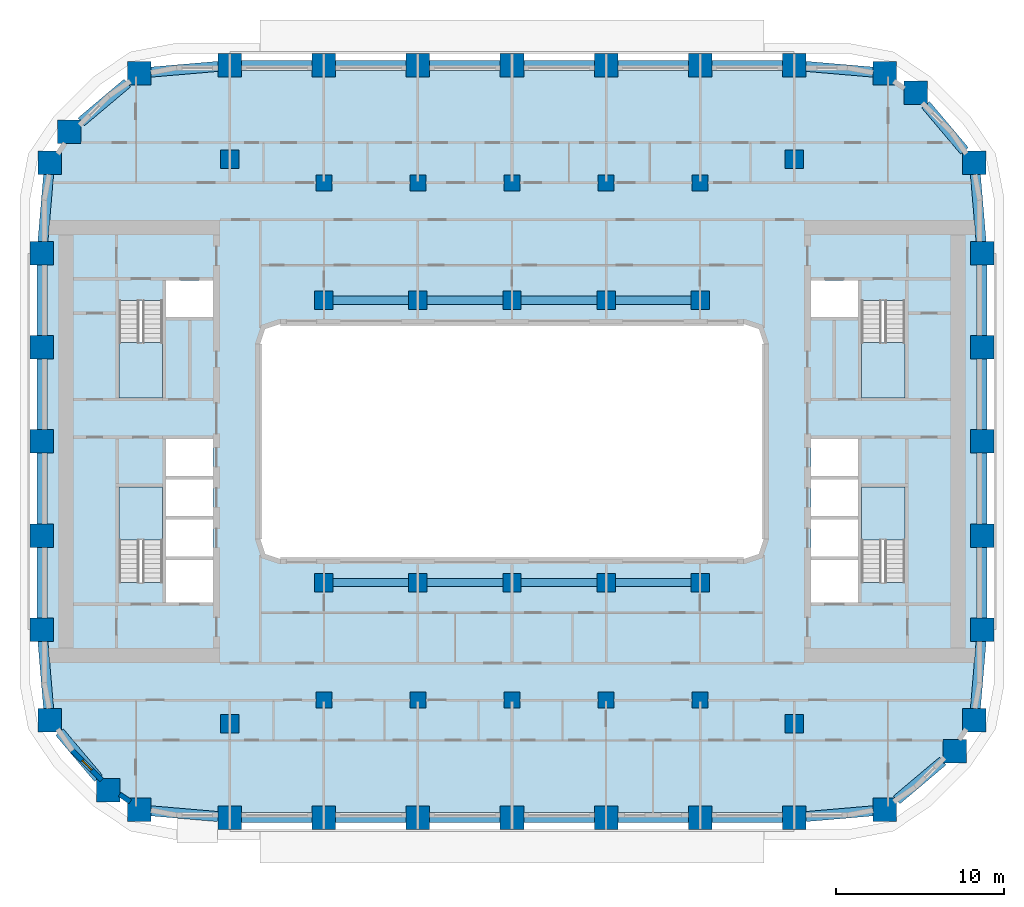
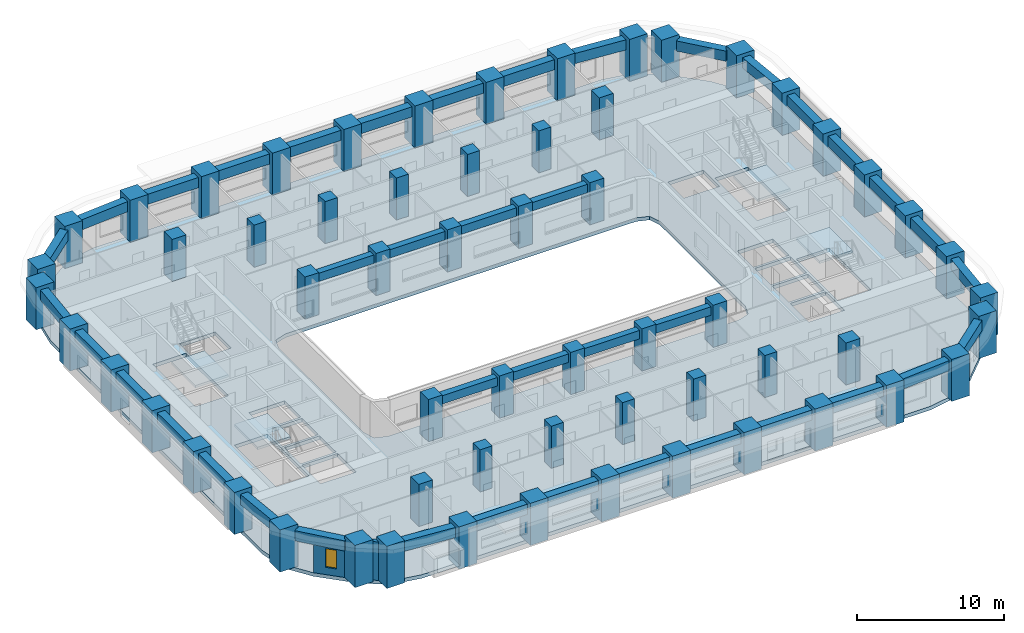
# One storey, part 1 of 22: 60 columns, 40 beams, 5 slabs, 2 walls, 1 window, 1 opening, 4 elements without a shape of their own.
"""IFC4 building model written with IfcOpenShell, lengths in metres."""

from ifc_helpers import new_model, si_unit, direction, frame, frame_2d, origin, origin_2d, place, context, subcontext, project, spatial, polyline, rectangle, outline, extrude, material, layer, layer_set, material_profile, profile_set, type_object, element, fill, aggregate, save


model = new_model("IFC4")

# Units and contexts
model_context = context("Model", 3, precision=1e-05, world=origin(), true_north=direction((0.0, 1.0)))
body_context = subcontext(model_context, "Body", "Model", "MODEL_VIEW")
ifc_project = project(units=[si_unit("LENGTHUNIT", "METRE"), si_unit("AREAUNIT", "SQUARE_METRE"), si_unit("VOLUMEUNIT", "CUBIC_METRE"), si_unit("PLANEANGLEUNIT", "RADIAN"), si_unit("MASSUNIT", "GRAM", prefix="KILO")], contexts=[model_context])

# Site, building, storey
site_placement = place(None, origin())
site = spatial("IfcSite", under=ifc_project, at=site_placement, CompositionType="ELEMENT")
building_placement = place(site_placement, origin())
building = spatial("IfcBuilding", under=site, at=building_placement, Name="Kiln Ring Residences", CompositionType="ELEMENT")
storey_placement = place(building_placement, frame((0.0, 0.0, 65.5)))
storey = spatial("IfcBuildingStorey", under=building, at=storey_placement, Name="L16", CompositionType="ELEMENT", Elevation=65.5)

# Columns
ifc_material_1 = material(Name="Concrete C80/95", Category="concrete")
ifc_material_profile_1 = material_profile(ifc_material_1, rectangle(XDim=0.949951171875, YDim=0.949951171875, at=origin_2d()), Name="RC950x950")
ifc_profile_set_1 = profile_set([ifc_material_profile_1], Name="Concrete C80/95")
column_type_1 = type_object("IfcColumnType", Name="Corridor column RC950x950 C80/95", PredefinedType="COLUMN", material=ifc_profile_set_1)
for number, where, z_axis, x_axis, name in (
    (1, (-11.199951171875, 15.39990234375, 0.0), (0.0, 0.0, 1.0), (1.0, 0.0, 0.0), "Corridor column L16 1"),
    (2, (-5.60009765625, 15.39990234375, 0.0), (0.0, 0.0, 1.0), (1.0, 0.0, 0.0), "Corridor column L16 2"),
    (3, (0.0, 15.39990234375, 0.0), (0.0, 0.0, 1.0), (1.0, 0.0, 0.0), "Corridor column L16 3"),
    (4, (5.60009765625, 15.39990234375, 0.0), (0.0, 0.0, 1.0), (1.0, 0.0, 0.0), "Corridor column L16 4"),
    (5, (11.199951171875, 15.39990234375, 0.0), (0.0, 0.0, 1.0), (1.0, 0.0, 0.0), "Corridor column L16 5"),
    (6, (-11.199951171875, -15.39990234375, 0.0), (0.0, 0.0, 1.0), (1.0, 0.0, 0.0), "Corridor column L16 6"),
    (7, (-5.60009765625, -15.39990234375, 0.0), (0.0, 0.0, 1.0), (1.0, 0.0, 0.0), "Corridor column L16 7"),
    (8, (0.0, -15.39990234375, 0.0), (0.0, 0.0, 1.0), (1.0, 0.0, 0.0), "Corridor column L16 8"),
    (9, (5.60009765625, -15.39990234375, 0.0), (0.0, 0.0, 1.0), (1.0, 0.0, 0.0), "Corridor column L16 9"),
    (10, (11.199951171875, -15.39990234375, 0.0), (0.0, 0.0, 1.0), (1.0, 0.0, 0.0), "Corridor column L16 10"),
):
    element("IfcColumn", number, at=place(storey_placement, frame(where, z_axis=z_axis, x_axis=x_axis)), inside=storey, type_object=column_type_1, Name=name, PredefinedType="COLUMN", context=body_context, shape_type="SweptSolid", body=[
        extrude(rectangle(XDim=0.949951171875, YDim=0.949951171875, at=origin_2d()), origin(), (0.0, 0.0, 1.0), 3.5),
    ])
ifc_material_2 = material(Name="Concrete C80/95", Category="concrete")
ifc_material_profile_2 = material_profile(ifc_material_2, rectangle(XDim=1.39990234375, YDim=1.39990234375, at=origin_2d()), Name="RC1400x1400")
ifc_profile_set_2 = profile_set([ifc_material_profile_2], Name="Concrete C80/95")
column_type_2 = type_object("IfcColumnType", Name="Perimeter column RC1400x1400 C80/95", PredefinedType="COLUMN", material=ifc_profile_set_2)
for number, where, z_axis, x_axis, name in (
    (11, (-22.208740234375, -21.93798828125, 0.0), (0.0, 0.0, 1.0), (1.0, 0.0, 0.0), "Perimeter column L16 1"),
    (12, (-16.800048828125, -22.39990234375, 0.0), (0.0, 0.0, 1.0), (1.0, 0.0, 0.0), "Perimeter column L16 2"),
    (13, (-11.199951171875, -22.39990234375, 0.0), (0.0, 0.0, 1.0), (1.0, 0.0, 0.0), "Perimeter column L16 3"),
    (14, (-5.60009765625, -22.39990234375, 0.0), (0.0, 0.0, 1.0), (1.0, 0.0, 0.0), "Perimeter column L16 4"),
    (15, (0.0, -22.39990234375, 0.0), (0.0, 0.0, 1.0), (1.0, 0.0, 0.0), "Perimeter column L16 5"),
    (16, (5.60009765625, -22.39990234375, 0.0), (0.0, 0.0, 1.0), (1.0, 0.0, 0.0), "Perimeter column L16 6"),
    (17, (11.199951171875, -22.39990234375, 0.0), (0.0, 0.0, 1.0), (1.0, 0.0, 0.0), "Perimeter column L16 7"),
    (18, (16.800048828125, -22.39990234375, 0.0), (0.0, 0.0, 1.0), (1.0, 0.0, 0.0), "Perimeter column L16 8"),
    (19, (22.208740234375, -21.93798828125, 0.0), (0.0, 0.0, 1.0), (1.0, 0.0, 0.0), "Perimeter column L16 9"),
    (20, (26.35986328125, -18.440185546875, 0.0), (0.0, 0.0, 1.0), (1.0, 0.0, 0.0), "Perimeter column L16 10"),
    (21, (27.5380859375, -16.608642578125, 0.0), (0.0, 0.0, 1.0), (1.0, 0.0, 0.0), "Perimeter column L16 11"),
    (22, (28.0, -11.199951171875, 0.0), (0.0, 0.0, 1.0), (1.0, 0.0, 0.0), "Perimeter column L16 12"),
    (23, (28.0, -5.60009765625, 0.0), (0.0, 0.0, 1.0), (1.0, 0.0, 0.0), "Perimeter column L16 13"),
    (24, (28.0, 0.0, 0.0), (0.0, 0.0, 1.0), (1.0, 0.0, 0.0), "Perimeter column L16 14"),
    (25, (28.0, 5.60009765625, 0.0), (0.0, 0.0, 1.0), (1.0, 0.0, 0.0), "Perimeter column L16 15"),
    (26, (28.0, 11.199951171875, 0.0), (0.0, 0.0, 1.0), (1.0, 0.0, 0.0), "Perimeter column L16 16"),
    (27, (27.5380859375, 16.608642578125, 0.0), (0.0, 0.0, 1.0), (1.0, 0.0, 0.0), "Perimeter column L16 17"),
    (28, (24.040283203125, 20.759765625, 0.0), (0.0, 0.0, 1.0), (1.0, 0.0, 0.0), "Perimeter column L16 18"),
    (29, (22.208740234375, 21.93798828125, 0.0), (0.0, 0.0, 1.0), (1.0, 0.0, 0.0), "Perimeter column L16 19"),
    (30, (16.800048828125, 22.39990234375, 0.0), (0.0, 0.0, 1.0), (1.0, 0.0, 0.0), "Perimeter column L16 20"),
    (31, (11.199951171875, 22.39990234375, 0.0), (0.0, 0.0, 1.0), (1.0, 0.0, 0.0), "Perimeter column L16 21"),
    (32, (5.60009765625, 22.39990234375, 0.0), (0.0, 0.0, 1.0), (1.0, 0.0, 0.0), "Perimeter column L16 22"),
    (33, (0.0, 22.39990234375, 0.0), (0.0, 0.0, 1.0), (1.0, 0.0, 0.0), "Perimeter column L16 23"),
    (34, (-5.60009765625, 22.39990234375, 0.0), (0.0, 0.0, 1.0), (1.0, 0.0, 0.0), "Perimeter column L16 24"),
    (35, (-11.199951171875, 22.39990234375, 0.0), (0.0, 0.0, 1.0), (1.0, 0.0, 0.0), "Perimeter column L16 25"),
    (36, (-16.800048828125, 22.39990234375, 0.0), (0.0, 0.0, 1.0), (1.0, 0.0, 0.0), "Perimeter column L16 26"),
    (37, (-22.208740234375, 21.93798828125, 0.0), (0.0, 0.0, 1.0), (1.0, 0.0, 0.0), "Perimeter column L16 27"),
    (38, (-26.35986328125, 18.440185546875, 0.0), (0.0, 0.0, 1.0), (1.0, 0.0, 0.0), "Perimeter column L16 28"),
    (39, (-27.5380859375, 16.608642578125, 0.0), (0.0, 0.0, 1.0), (1.0, 0.0, 0.0), "Perimeter column L16 29"),
    (40, (-28.0, 11.199951171875, 0.0), (0.0, 0.0, 1.0), (1.0, 0.0, 0.0), "Perimeter column L16 30"),
    (41, (-28.0, 5.60009765625, 0.0), (0.0, 0.0, 1.0), (1.0, 0.0, 0.0), "Perimeter column L16 31"),
    (42, (-28.0, 0.0, 0.0), (0.0, 0.0, 1.0), (1.0, 0.0, 0.0), "Perimeter column L16 32"),
    (43, (-28.0, -5.60009765625, 0.0), (0.0, 0.0, 1.0), (1.0, 0.0, 0.0), "Perimeter column L16 33"),
    (44, (-28.0, -11.199951171875, 0.0), (0.0, 0.0, 1.0), (1.0, 0.0, 0.0), "Perimeter column L16 34"),
    (45, (-27.5380859375, -16.608642578125, 0.0), (0.0, 0.0, 1.0), (1.0, 0.0, 0.0), "Perimeter column L16 35"),
    (46, (-24.040283203125, -20.759765625, 0.0), (0.0, 0.0, 1.0), (1.0, 0.0, 0.0), "Perimeter column L16 36"),
):
    element("IfcColumn", number, at=place(storey_placement, frame(where, z_axis=z_axis, x_axis=x_axis)), inside=storey, type_object=column_type_2, Name=name, PredefinedType="COLUMN", context=body_context, shape_type="SweptSolid", body=[
        extrude(rectangle(XDim=1.39990234375, YDim=1.39990234375, at=origin_2d()), origin(), (0.0, 0.0, 1.0), 3.5),
    ])
ifc_material_3 = material(Name="Concrete C80/95", Category="concrete")
ifc_material_profile_3 = material_profile(ifc_material_3, rectangle(XDim=1.10009765625, YDim=1.10009765625, at=origin_2d()), Name="RC1100x1100")
ifc_profile_set_3 = profile_set([ifc_material_profile_3], Name="Concrete C80/95")
column_type_3 = type_object("IfcColumnType", Name="Ring column RC1100x1100 C80/95", PredefinedType="COLUMN", material=ifc_profile_set_3)
for number, where, z_axis, x_axis, name in (
    (47, (-16.800048828125, -16.800048828125, 0.0), (0.0, 0.0, 1.0), (1.0, 0.0, 0.0), "Ring column L16 1"),
    (48, (-16.800048828125, 16.800048828125, 0.0), (0.0, 0.0, 1.0), (1.0, 0.0, 0.0), "Ring column L16 2"),
    (49, (-11.199951171875, -8.39990234375, 0.0), (0.0, 0.0, 1.0), (1.0, 0.0, 0.0), "Ring column L16 3"),
    (50, (-11.199951171875, 8.39990234375, 0.0), (0.0, 0.0, 1.0), (1.0, 0.0, 0.0), "Ring column L16 4"),
    (51, (-5.60009765625, -8.39990234375, 0.0), (0.0, 0.0, 1.0), (1.0, 0.0, 0.0), "Ring column L16 5"),
    (52, (-5.60009765625, 8.39990234375, 0.0), (0.0, 0.0, 1.0), (1.0, 0.0, 0.0), "Ring column L16 6"),
    (53, (0.0, -8.39990234375, 0.0), (0.0, 0.0, 1.0), (1.0, 0.0, 0.0), "Ring column L16 7"),
    (54, (0.0, 8.39990234375, 0.0), (0.0, 0.0, 1.0), (1.0, 0.0, 0.0), "Ring column L16 8"),
    (55, (5.60009765625, -8.39990234375, 0.0), (0.0, 0.0, 1.0), (1.0, 0.0, 0.0), "Ring column L16 9"),
    (56, (5.60009765625, 8.39990234375, 0.0), (0.0, 0.0, 1.0), (1.0, 0.0, 0.0), "Ring column L16 10"),
    (57, (11.199951171875, -8.39990234375, 0.0), (0.0, 0.0, 1.0), (1.0, 0.0, 0.0), "Ring column L16 11"),
    (58, (11.199951171875, 8.39990234375, 0.0), (0.0, 0.0, 1.0), (1.0, 0.0, 0.0), "Ring column L16 12"),
    (59, (16.800048828125, -16.800048828125, 0.0), (0.0, 0.0, 1.0), (1.0, 0.0, 0.0), "Ring column L16 13"),
    (60, (16.800048828125, 16.800048828125, 0.0), (0.0, 0.0, 1.0), (1.0, 0.0, 0.0), "Ring column L16 14"),
):
    element("IfcColumn", number, at=place(storey_placement, frame(where, z_axis=z_axis, x_axis=x_axis)), inside=storey, type_object=column_type_3, Name=name, PredefinedType="COLUMN", context=body_context, shape_type="SweptSolid", body=[
        extrude(rectangle(XDim=1.10009765625, YDim=1.10009765625, at=origin_2d()), origin(), (0.0, 0.0, 1.0), 3.5),
    ])

# Beams
ifc_material_4 = material(Name="Concrete C50/60", Category="concrete")
ifc_material_profile_4 = material_profile(ifc_material_4, rectangle(XDim=0.5, YDim=0.699951171875, at=origin_2d()), Name="RC500x700")
ifc_profile_set_4 = profile_set([ifc_material_profile_4], Name="Concrete C50/60")
beam_type_1 = type_object("IfcBeamType", Name="Ring beam RC500x700 C50/60", PredefinedType="BEAM", material=ifc_profile_set_4)
for number, where, z_axis, x_axis, name in (
    (61, (-10.64990234375, -8.39990234375, 2.85009765625), (1.0, 0.0, 0.0), (0.0, 1.0, 0.0), "Ring beam L16 1"),
    (62, (-5.050048828125, -8.39990234375, 2.85009765625), (1.0, 0.0, 0.0), (0.0, 1.0, 0.0), "Ring beam L16 2"),
    (63, (0.550048828125, -8.39990234375, 2.85009765625), (1.0, 0.0, 0.0), (0.0, 1.0, 0.0), "Ring beam L16 3"),
    (64, (6.14990234375, -8.39990234375, 2.85009765625), (1.0, 0.0, 0.0), (0.0, 1.0, 0.0), "Ring beam L16 4"),
    (65, (-10.64990234375, 8.39990234375, 2.85009765625), (1.0, 0.0, 0.0), (0.0, 1.0, 0.0), "Ring beam L16 5"),
    (66, (-5.050048828125, 8.39990234375, 2.85009765625), (1.0, 0.0, 0.0), (0.0, 1.0, 0.0), "Ring beam L16 6"),
    (67, (0.550048828125, 8.39990234375, 2.85009765625), (1.0, 0.0, 0.0), (0.0, 1.0, 0.0), "Ring beam L16 7"),
    (68, (6.14990234375, 8.39990234375, 2.85009765625), (1.0, 0.0, 0.0), (0.0, 1.0, 0.0), "Ring beam L16 8"),
):
    element("IfcBeam", number, at=place(storey_placement, frame(where, z_axis=z_axis, x_axis=x_axis)), inside=storey, type_object=beam_type_1, Name=name, PredefinedType="BEAM", context=body_context, shape_type="SweptSolid", body=[
        extrude(rectangle(XDim=0.5, YDim=0.699951171875, at=origin_2d()), origin(), (0.0, 0.0, 1.0), 4.5),
    ])
ifc_material_5 = material(Name="Concrete C50/60", Category="concrete")
ifc_material_profile_5 = material_profile(ifc_material_5, rectangle(XDim=0.60009765625, YDim=0.85009765625, at=origin_2d()), Name="RC600x850")
ifc_profile_set_5 = profile_set([ifc_material_profile_5], Name="Concrete C50/60")
beam_type_2 = type_object("IfcBeamType", Name="Spandrel beam RC600x850 C50/60", PredefinedType="SPANDREL", material=ifc_profile_set_5)
beam_1_placement = place(storey_placement, frame((-21.5087890625, -21.997802734375, 2.77490234375), z_axis=(0.996369479058, -0.085134371444, 0.0), x_axis=(0.085134371444, 0.996369479058, 0.0)))
element("IfcBeam", 69, at=beam_1_placement, inside=storey, type_object=beam_type_2, Name="Spandrel beam L16 1", PredefinedType="SPANDREL", context=body_context, shape_type="SweptSolid", body=[
    extrude(rectangle(XDim=0.60009765625, YDim=0.85009765625, at=origin_2d()), origin(), (0.0, 0.0, 1.0), 4.0234375),
])
beam_2_placement = place(storey_placement, frame((-16.10009765625, -22.39990234375, 2.77490234375), z_axis=(1.0, 0.0, 0.0), x_axis=(0.0, 1.0, 0.0)))
element("IfcBeam", 70, at=beam_2_placement, inside=storey, type_object=beam_type_2, Name="Spandrel beam L16 2", PredefinedType="SPANDREL", context=body_context, shape_type="SweptSolid", body=[
    extrude(rectangle(XDim=0.60009765625, YDim=0.85009765625, at=origin_2d()), origin(), (0.0, 0.0, 1.0), 4.2001953125),
])
for number, where, z_axis, x_axis, name in (
    (71, (-10.5, -22.39990234375, 2.77490234375), (1.0, 0.0, 0.0), (0.0, 1.0, 0.0), "Spandrel beam L16 3"),
    (72, (-4.89990234375, -22.39990234375, 2.77490234375), (1.0, 0.0, 0.0), (0.0, 1.0, 0.0), "Spandrel beam L16 4"),
    (73, (0.699951171875, -22.39990234375, 2.77490234375), (1.0, 0.0, 0.0), (0.0, 1.0, 0.0), "Spandrel beam L16 5"),
    (74, (6.300048828125, -22.39990234375, 2.77490234375), (1.0, 0.0, 0.0), (0.0, 1.0, 0.0), "Spandrel beam L16 6"),
):
    element("IfcBeam", number, at=place(storey_placement, frame(where, z_axis=z_axis, x_axis=x_axis)), inside=storey, type_object=beam_type_2, Name=name, PredefinedType="SPANDREL", context=body_context, shape_type="SweptSolid", body=[
        extrude(rectangle(XDim=0.60009765625, YDim=0.85009765625, at=origin_2d()), origin(), (0.0, 0.0, 1.0), 4.199951171875),
    ])
beam_3_placement = place(storey_placement, frame((11.89990234375, -22.39990234375, 2.77490234375), z_axis=(1.0, 0.0, 0.0), x_axis=(0.0, 1.0, 0.0)))
element("IfcBeam", 75, at=beam_3_placement, inside=storey, type_object=beam_type_2, Name="Spandrel beam L16 7", PredefinedType="SPANDREL", context=body_context, shape_type="SweptSolid", body=[
    extrude(rectangle(XDim=0.60009765625, YDim=0.85009765625, at=origin_2d()), origin(), (0.0, 0.0, 1.0), 4.2001953125),
])
beam_4_placement = place(storey_placement, frame((17.5, -22.34033203125, 2.77490234375), z_axis=(0.996369479058, 0.085134371444, 0.0), x_axis=(-0.085134371444, 0.996369479058, 0.0)))
element("IfcBeam", 76, at=beam_4_placement, inside=storey, type_object=beam_type_2, Name="Spandrel beam L16 8", PredefinedType="SPANDREL", context=body_context, shape_type="SweptSolid", body=[
    extrude(rectangle(XDim=0.60009765625, YDim=0.85009765625, at=origin_2d()), origin(), (0.0, 0.0, 1.0), 4.0234375),
])
beam_5_placement = place(storey_placement, frame((22.90869140625, -21.34814453125, 2.77490234375), z_axis=(0.764733430751, 0.644346785428, 0.0), x_axis=(-0.644346785428, 0.764733430751, 0.0)))
element("IfcBeam", 77, at=beam_5_placement, inside=storey, type_object=beam_type_2, Name="Spandrel beam L16 9", PredefinedType="SPANDREL", context=body_context, shape_type="SweptSolid", body=[
    extrude(rectangle(XDim=0.60009765625, YDim=0.85009765625, at=origin_2d()), origin(), (0.0, 0.0, 1.0), 3.59765625),
])
beam_6_placement = place(storey_placement, frame((27.597900390625, -15.90869140625, 2.77490234375), z_axis=(0.085074130543, 0.996374624482, 0.0), x_axis=(-0.996374624482, 0.085074130543, 0.0)))
element("IfcBeam", 78, at=beam_6_placement, inside=storey, type_object=beam_type_2, Name="Spandrel beam L16 10", PredefinedType="SPANDREL", context=body_context, shape_type="SweptSolid", body=[
    extrude(rectangle(XDim=0.60009765625, YDim=0.85009765625, at=origin_2d()), origin(), (0.0, 0.0, 1.0), 4.0234375),
])
for number, where, z_axis, x_axis, name in (
    (79, (28.0, -10.5, 2.77490234375), (0.0, 1.0, 0.0), (-1.0, 0.0, 0.0), "Spandrel beam L16 11"),
    (80, (28.0, -4.89990234375, 2.77490234375), (0.0, 1.0, 0.0), (-1.0, 0.0, 0.0), "Spandrel beam L16 12"),
    (81, (28.0, 0.699951171875, 2.77490234375), (0.0, 1.0, 0.0), (-1.0, 0.0, 0.0), "Spandrel beam L16 13"),
    (82, (28.0, 6.300048828125, 2.77490234375), (0.0, 1.0, 0.0), (-1.0, 0.0, 0.0), "Spandrel beam L16 14"),
):
    element("IfcBeam", number, at=place(storey_placement, frame(where, z_axis=z_axis, x_axis=x_axis)), inside=storey, type_object=beam_type_2, Name=name, PredefinedType="SPANDREL", context=body_context, shape_type="SweptSolid", body=[
        extrude(rectangle(XDim=0.60009765625, YDim=0.85009765625, at=origin_2d()), origin(), (0.0, 0.0, 1.0), 4.199951171875),
    ])
beam_7_placement = place(storey_placement, frame((27.940185546875, 11.89990234375, 2.77490234375), z_axis=(-0.085074130543, 0.996374624482, 0.0), x_axis=(-0.996374624482, -0.085074130543, 0.0)))
element("IfcBeam", 83, at=beam_7_placement, inside=storey, type_object=beam_type_2, Name="Spandrel beam L16 15", PredefinedType="SPANDREL", context=body_context, shape_type="SweptSolid", body=[
    extrude(rectangle(XDim=0.60009765625, YDim=0.85009765625, at=origin_2d()), origin(), (0.0, 0.0, 1.0), 4.0234375),
])
beam_8_placement = place(storey_placement, frame((26.9482421875, 17.30859375, 2.77490234375), z_axis=(-0.644346785428, 0.764733430751, 0.0), x_axis=(-0.764733430751, -0.644346785428, 0.0)))
element("IfcBeam", 84, at=beam_8_placement, inside=storey, type_object=beam_type_2, Name="Spandrel beam L16 16", PredefinedType="SPANDREL", context=body_context, shape_type="SweptSolid", body=[
    extrude(rectangle(XDim=0.60009765625, YDim=0.85009765625, at=origin_2d()), origin(), (0.0, 0.0, 1.0), 3.59765625),
])
beam_9_placement = place(storey_placement, frame((21.5087890625, 21.997802734375, 2.77490234375), z_axis=(-0.996369479058, 0.085134371444, 0.0), x_axis=(-0.085134371444, -0.996369479058, 0.0)))
element("IfcBeam", 85, at=beam_9_placement, inside=storey, type_object=beam_type_2, Name="Spandrel beam L16 17", PredefinedType="SPANDREL", context=body_context, shape_type="SweptSolid", body=[
    extrude(rectangle(XDim=0.60009765625, YDim=0.85009765625, at=origin_2d()), origin(), (0.0, 0.0, 1.0), 4.0234375),
])
beam_10_placement = place(storey_placement, frame((16.10009765625, 22.39990234375, 2.77490234375), z_axis=(-1.0, 0.0, 0.0), x_axis=(0.0, -1.0, 0.0)))
element("IfcBeam", 86, at=beam_10_placement, inside=storey, type_object=beam_type_2, Name="Spandrel beam L16 18", PredefinedType="SPANDREL", context=body_context, shape_type="SweptSolid", body=[
    extrude(rectangle(XDim=0.60009765625, YDim=0.85009765625, at=origin_2d()), origin(), (0.0, 0.0, 1.0), 4.2001953125),
])
for number, where, z_axis, x_axis, name in (
    (87, (10.5, 22.39990234375, 2.77490234375), (-1.0, 0.0, 0.0), (0.0, -1.0, 0.0), "Spandrel beam L16 19"),
    (88, (4.89990234375, 22.39990234375, 2.77490234375), (-1.0, 0.0, 0.0), (0.0, -1.0, 0.0), "Spandrel beam L16 20"),
    (89, (-0.699951171875, 22.39990234375, 2.77490234375), (-1.0, 0.0, 0.0), (0.0, -1.0, 0.0), "Spandrel beam L16 21"),
    (90, (-6.300048828125, 22.39990234375, 2.77490234375), (-1.0, 0.0, 0.0), (0.0, -1.0, 0.0), "Spandrel beam L16 22"),
):
    element("IfcBeam", number, at=place(storey_placement, frame(where, z_axis=z_axis, x_axis=x_axis)), inside=storey, type_object=beam_type_2, Name=name, PredefinedType="SPANDREL", context=body_context, shape_type="SweptSolid", body=[
        extrude(rectangle(XDim=0.60009765625, YDim=0.85009765625, at=origin_2d()), origin(), (0.0, 0.0, 1.0), 4.199951171875),
    ])
beam_11_placement = place(storey_placement, frame((-11.89990234375, 22.39990234375, 2.77490234375), z_axis=(-1.0, 0.0, 0.0), x_axis=(0.0, -1.0, 0.0)))
element("IfcBeam", 91, at=beam_11_placement, inside=storey, type_object=beam_type_2, Name="Spandrel beam L16 23", PredefinedType="SPANDREL", context=body_context, shape_type="SweptSolid", body=[
    extrude(rectangle(XDim=0.60009765625, YDim=0.85009765625, at=origin_2d()), origin(), (0.0, 0.0, 1.0), 4.2001953125),
])
beam_12_placement = place(storey_placement, frame((-17.5, 22.34033203125, 2.77490234375), z_axis=(-0.996369479058, -0.085134371444, 0.0), x_axis=(0.085134371444, -0.996369479058, 0.0)))
element("IfcBeam", 92, at=beam_12_placement, inside=storey, type_object=beam_type_2, Name="Spandrel beam L16 24", PredefinedType="SPANDREL", context=body_context, shape_type="SweptSolid", body=[
    extrude(rectangle(XDim=0.60009765625, YDim=0.85009765625, at=origin_2d()), origin(), (0.0, 0.0, 1.0), 4.0234375),
])
beam_13_placement = place(storey_placement, frame((-22.90869140625, 21.34814453125, 2.77490234375), z_axis=(-0.764733430751, -0.644346785428, 0.0), x_axis=(0.644346785428, -0.764733430751, 0.0)))
element("IfcBeam", 93, at=beam_13_placement, inside=storey, type_object=beam_type_2, Name="Spandrel beam L16 25", PredefinedType="SPANDREL", context=body_context, shape_type="SweptSolid", body=[
    extrude(rectangle(XDim=0.60009765625, YDim=0.85009765625, at=origin_2d()), origin(), (0.0, 0.0, 1.0), 3.59765625),
])
beam_14_placement = place(storey_placement, frame((-27.597900390625, 15.90869140625, 2.77490234375), z_axis=(-0.085074130543, -0.996374624482, 0.0), x_axis=(0.996374624482, -0.085074130543, 0.0)))
element("IfcBeam", 94, at=beam_14_placement, inside=storey, type_object=beam_type_2, Name="Spandrel beam L16 26", PredefinedType="SPANDREL", context=body_context, shape_type="SweptSolid", body=[
    extrude(rectangle(XDim=0.60009765625, YDim=0.85009765625, at=origin_2d()), origin(), (0.0, 0.0, 1.0), 4.0234375),
])
for number, where, z_axis, x_axis, name in (
    (95, (-28.0, 10.5, 2.77490234375), (0.0, -1.0, 0.0), (1.0, 0.0, 0.0), "Spandrel beam L16 27"),
    (96, (-28.0, 4.89990234375, 2.77490234375), (0.0, -1.0, 0.0), (1.0, 0.0, 0.0), "Spandrel beam L16 28"),
    (97, (-28.0, -0.699951171875, 2.77490234375), (0.0, -1.0, 0.0), (1.0, 0.0, 0.0), "Spandrel beam L16 29"),
    (98, (-28.0, -6.300048828125, 2.77490234375), (0.0, -1.0, 0.0), (1.0, 0.0, 0.0), "Spandrel beam L16 30"),
):
    element("IfcBeam", number, at=place(storey_placement, frame(where, z_axis=z_axis, x_axis=x_axis)), inside=storey, type_object=beam_type_2, Name=name, PredefinedType="SPANDREL", context=body_context, shape_type="SweptSolid", body=[
        extrude(rectangle(XDim=0.60009765625, YDim=0.85009765625, at=origin_2d()), origin(), (0.0, 0.0, 1.0), 4.199951171875),
    ])
beam_15_placement = place(storey_placement, frame((-27.940185546875, -11.89990234375, 2.77490234375), z_axis=(0.085074130543, -0.996374624482, 0.0), x_axis=(0.996374624482, 0.085074130543, 0.0)))
element("IfcBeam", 99, at=beam_15_placement, inside=storey, type_object=beam_type_2, Name="Spandrel beam L16 31", PredefinedType="SPANDREL", context=body_context, shape_type="SweptSolid", body=[
    extrude(rectangle(XDim=0.60009765625, YDim=0.85009765625, at=origin_2d()), origin(), (0.0, 0.0, 1.0), 4.0234375),
])
beam_16_placement = place(storey_placement, frame((-26.9482421875, -17.30859375, 2.77490234375), z_axis=(0.644346785428, -0.764733430751, 0.0), x_axis=(0.764733430751, 0.644346785428, 0.0)))
element("IfcBeam", 100, at=beam_16_placement, inside=storey, type_object=beam_type_2, Name="Spandrel beam L16 32", PredefinedType="SPANDREL", context=body_context, shape_type="SweptSolid", body=[
    extrude(rectangle(XDim=0.60009765625, YDim=0.85009765625, at=origin_2d()), origin(), (0.0, 0.0, 1.0), 3.59765625),
])

# Stair, slab
ifc_material_6 = material(Name="Concrete C40/50", Category="concrete")
stair_type = type_object("IfcStairType", Name="CORE-STAIR", PredefinedType="HALF_TURN_STAIR", material=ifc_material_6)
placement_1 = place(storey_placement, origin())
stair_1 = element("IfcStair", 101, at=placement_1, inside=storey, type_object=stair_type, Name="L16 stair W-STN", PredefinedType="HALF_TURN_STAIR")
ifc_material_7 = material(Name="Concrete C40/50", Category="concrete")
ifc_layer_1 = layer(ifc_material_7, 0.199951171875)
ifc_layer_set_1 = layer_set([ifc_layer_1], Name="CORE-STAIR-LANDING")
slab_type_1 = type_object("IfcSlabType", Name="CORE-STAIR-LANDING", PredefinedType="LANDING", material=ifc_layer_set_1)
placement_2 = place(storey_placement, frame((0.0, 0.0, 1.550048828125)))
slab_1 = element("IfcSlab", 102, at=placement_2, type_object=slab_type_1, Name="W-STN landing 1", PredefinedType="LANDING", context=body_context, shape_type="SweptSolid", body=[
    extrude(outline(polyline([(-23.39990234375, 5.8798828125), (-23.39990234375, 2.60009765625), (-20.800048828125, 2.60009765625), (-20.800048828125, 5.8798828125), (-23.39990234375, 5.8798828125)])), origin(), (0.0, 0.0, 1.0), 0.199951171875),
])
aggregate(stair_1, [slab_1])

stair_2 = element("IfcStair", 103, at=placement_1, inside=storey, type_object=stair_type, Name="L16 stair W-STS", PredefinedType="HALF_TURN_STAIR")
slab_2 = element("IfcSlab", 104, at=placement_2, type_object=slab_type_1, Name="W-STS landing 1", PredefinedType="LANDING", context=body_context, shape_type="SweptSolid", body=[
    extrude(outline(polyline([(-20.800048828125, -5.8798828125), (-20.800048828125, -2.699951171875), (-23.39990234375, -2.699951171875), (-23.39990234375, -5.8798828125), (-20.800048828125, -5.8798828125)])), origin(), (0.0, 0.0, 1.0), 0.199951171875),
])
aggregate(stair_2, [slab_2])

stair_3 = element("IfcStair", 105, at=placement_1, inside=storey, type_object=stair_type, Name="L16 stair E-STN", PredefinedType="HALF_TURN_STAIR")
slab_3 = element("IfcSlab", 106, at=placement_2, type_object=slab_type_1, Name="E-STN landing 1", PredefinedType="LANDING", context=body_context, shape_type="SweptSolid", body=[
    extrude(outline(polyline([(20.800048828125, 5.8798828125), (20.800048828125, 2.60009765625), (23.39990234375, 2.60009765625), (23.39990234375, 5.8798828125), (20.800048828125, 5.8798828125)])), origin(), (0.0, 0.0, 1.0), 0.199951171875),
])
aggregate(stair_3, [slab_3])

stair_4 = element("IfcStair", 107, at=placement_1, inside=storey, type_object=stair_type, Name="L16 stair E-STS", PredefinedType="HALF_TURN_STAIR")
slab_4 = element("IfcSlab", 108, at=placement_2, type_object=slab_type_1, Name="E-STS landing 1", PredefinedType="LANDING", context=body_context, shape_type="SweptSolid", body=[
    extrude(outline(polyline([(23.39990234375, -5.8798828125), (23.39990234375, -2.699951171875), (20.800048828125, -2.699951171875), (20.800048828125, -5.8798828125), (23.39990234375, -5.8798828125)])), origin(), (0.0, 0.0, 1.0), 0.199951171875),
])
aggregate(stair_4, [slab_4])

# Slab
ifc_material_8 = material(Name="Concrete C40/50", Category="concrete")
ifc_layer_2 = layer(ifc_material_8, 0.300048828125)
ifc_layer_set_2 = layer_set([ifc_layer_2], Name="Floor slab 300")
slab_type_2 = type_object("IfcSlabType", Name="Floor slab 300", PredefinedType="FLOOR", material=ifc_layer_set_2)
slab_5_placement = place(storey_placement, frame((0.0, 0.0, -0.300048828125)))
element("IfcSlab", 109, at=slab_5_placement, inside=storey, type_object=slab_type_2, Name="Floor slab L16 1", PredefinedType="FLOOR", context=body_context, shape_type="SweptSolid", body=[
    extrude(outline(polyline([(-26.302978515625, -18.4970703125), (-24.09716796875, -20.702880859375), (-22.224365234375, -21.975830078125), (-20.0, -22.39990234375), (20.0, -22.39990234375), (22.224365234375, -21.975830078125), (24.09716796875, -20.702880859375), (26.302978515625, -18.4970703125), (27.57568359375, -16.624267578125), (28.0, -14.39990234375), (28.0, 14.39990234375), (27.57568359375, 16.624267578125), (26.302978515625, 18.4970703125), (24.09716796875, 20.702880859375), (22.224365234375, 21.975830078125), (20.0, 22.39990234375), (-20.0, 22.39990234375), (-22.224365234375, 21.975830078125), (-24.09716796875, 20.702880859375), (-26.302978515625, 18.4970703125), (-27.57568359375, 16.624267578125), (-28.0, 14.39990234375), (-28.0, -14.39990234375), (-27.57568359375, -16.624267578125), (-26.302978515625, -18.4970703125)]), holes=[polyline([(-14.699951171875, -6.699951171875), (-15.0, -5.800048828125), (-15.0, 5.800048828125), (-14.699951171875, 6.699951171875), (-13.800048828125, 7.0), (13.800048828125, 7.0), (14.699951171875, 6.699951171875), (15.0, 5.800048828125), (15.0, -5.800048828125), (14.699951171875, -6.699951171875), (13.800048828125, -7.0), (-13.800048828125, -7.0), (-14.699951171875, -6.699951171875)]), polyline([(20.800048828125, -8.39794921875), (20.800048828125, -2.699951171875), (23.39990234375, -2.699951171875), (23.39990234375, -8.39794921875), (20.800048828125, -8.39794921875)]), polyline([(20.800048828125, 2.60009765625), (20.800048828125, 8.39794921875), (23.39990234375, 8.39794921875), (23.39990234375, 2.60009765625), (20.800048828125, 2.60009765625)]), polyline([(17.800048828125, -6.85009765625), (17.800048828125, -4.64990234375), (20.60009765625, -4.64990234375), (20.60009765625, -6.85009765625), (17.800048828125, -6.85009765625)]), polyline([(17.800048828125, -4.449951171875), (17.800048828125, -2.25), (20.60009765625, -2.25), (20.60009765625, -4.449951171875), (17.800048828125, -4.449951171875)]), polyline([(17.800048828125, -2.050048828125), (17.800048828125, 0.14990234375), (20.60009765625, 0.14990234375), (20.60009765625, -2.050048828125), (17.800048828125, -2.050048828125)]), polyline([(17.800048828125, 7.39990234375), (17.800048828125, 9.60009765625), (20.60009765625, 9.60009765625), (20.60009765625, 7.39990234375), (17.800048828125, 7.39990234375)]), polyline([(20.60009765625, -9.60009765625), (17.800048828125, -9.60009765625), (17.800048828125, -7.050048828125), (20.60009765625, -7.050048828125), (20.60009765625, -9.60009765625)]), polyline([(-17.800048828125, -7.050048828125), (-17.800048828125, -9.60009765625), (-20.60009765625, -9.60009765625), (-20.60009765625, -7.050048828125), (-17.800048828125, -7.050048828125)]), polyline([(-17.800048828125, -6.85009765625), (-20.60009765625, -6.85009765625), (-20.60009765625, -4.64990234375), (-17.800048828125, -4.64990234375), (-17.800048828125, -6.85009765625)]), polyline([(-17.800048828125, -4.449951171875), (-20.60009765625, -4.449951171875), (-20.60009765625, -2.25), (-17.800048828125, -2.25), (-17.800048828125, -4.449951171875)]), polyline([(-17.800048828125, -2.050048828125), (-20.60009765625, -2.050048828125), (-20.60009765625, 0.14990234375), (-17.800048828125, 0.14990234375), (-17.800048828125, -2.050048828125)]), polyline([(-17.800048828125, 7.39990234375), (-20.60009765625, 7.39990234375), (-20.60009765625, 9.60009765625), (-17.800048828125, 9.60009765625), (-17.800048828125, 7.39990234375)]), polyline([(-20.800048828125, -8.39794921875), (-23.39990234375, -8.39794921875), (-23.39990234375, -2.699951171875), (-20.800048828125, -2.699951171875), (-20.800048828125, -8.39794921875)]), polyline([(-20.800048828125, 2.60009765625), (-23.39990234375, 2.60009765625), (-23.39990234375, 8.39794921875), (-20.800048828125, 8.39794921875), (-20.800048828125, 2.60009765625)])]), origin(), (0.0, 0.0, 1.0), 0.300048828125),
])

# Wall, opening, window
ifc_material_9 = material(Name="Brick masonry, dark clay brick", Category="masonry")
ifc_layer_3 = layer(ifc_material_9, 0.300048828125)
ifc_layer_set_3 = layer_set([ifc_layer_3], Name="EW-300 BRICK WALL")
wall_type = type_object("IfcWallType", Name="EW-300 BRICK WALL", PredefinedType="SOLIDWALL", material=ifc_layer_set_3)
wall_1_placement = place(storey_placement, frame((-26.19677734375, -18.390869140625, 0.0), z_axis=(0.0, 0.0, 1.0), x_axis=(0.707057949532, -0.707155609469, 0.0)))
wall_1 = element("IfcWall", 110, at=wall_1_placement, inside=storey, type_object=wall_type, Name="Facade wall L16 1", PredefinedType="SOLIDWALL", context=body_context, shape_type="SweptSolid", body=[
    extrude(rectangle(XDim=2.5, YDim=0.300048828125, at=frame_2d((1.25, 0.0))), origin(), (0.0, 0.0, 1.0), 2.35009765625),
])
opening_placement = place(wall_1_placement, frame((0.85009765625, 0.0, 0.60009765625)))
opening = element("IfcOpeningElement", 111, at=opening_placement, cuts=wall_1, Name="Opening W5", PredefinedType="OPENING", context=body_context, shape_type="SweptSolid", body=[
    extrude(rectangle(XDim=0.800048828125, YDim=1.550048828125, at=frame_2d((0.39990234375, 0.77490234375))), frame((0.0, 0.159912109375, 0.0), z_axis=(0.0, -1.0, 0.0), x_axis=(1.0, 0.0, 0.0)), (0.0, 0.0, 1.0), 0.320068359375),
])
ifc_material_10 = material(Name="Aluminium frame with double glazing", Category="aluminium")
window_type = type_object("IfcWindowType", Name="WINDOW 800 x 1550", PartitioningType="SINGLE_PANEL", PredefinedType="WINDOW", material=ifc_material_10)
window_placement = place(opening_placement, origin())
window = element("IfcWindow", 112, at=window_placement, inside=storey, type_object=window_type, Name="Window L16 1", OverallHeight=1.550048828125, OverallWidth=0.800048828125, PartitioningType="SINGLE_PANEL", PredefinedType="WINDOW", context=body_context, shape_type="SweptSolid", body=[
    extrude(rectangle(XDim=0.800048828125, YDim=1.550048828125, at=frame_2d((0.39990234375, 0.77490234375))), frame((0.0, 0.030029296875, 0.0), z_axis=(0.0, -1.0, 0.0), x_axis=(1.0, 0.0, 0.0)), (0.0, 0.0, 1.0), 0.06005859375),
])
fill(opening, window)

# Wall
wall_2_placement = place(storey_placement, frame((-23.368408203125, -21.016845703125, 0.0), z_axis=(0.0, 0.0, 1.0), x_axis=(0.827037530089, -0.562146710232, 0.0)))
element("IfcWall", 113, at=wall_2_placement, inside=storey, type_object=wall_type, Name="Facade wall L16 2", PredefinedType="SOLIDWALL", context=body_context, shape_type="SweptSolid", body=[
    extrude(rectangle(XDim=0.77685546875, YDim=0.300048828125, at=frame_2d((0.388427734375, 0.0))), origin(), (0.0, 0.0, 1.0), 3.199951171875),
])

save(model, "model.ifc")
